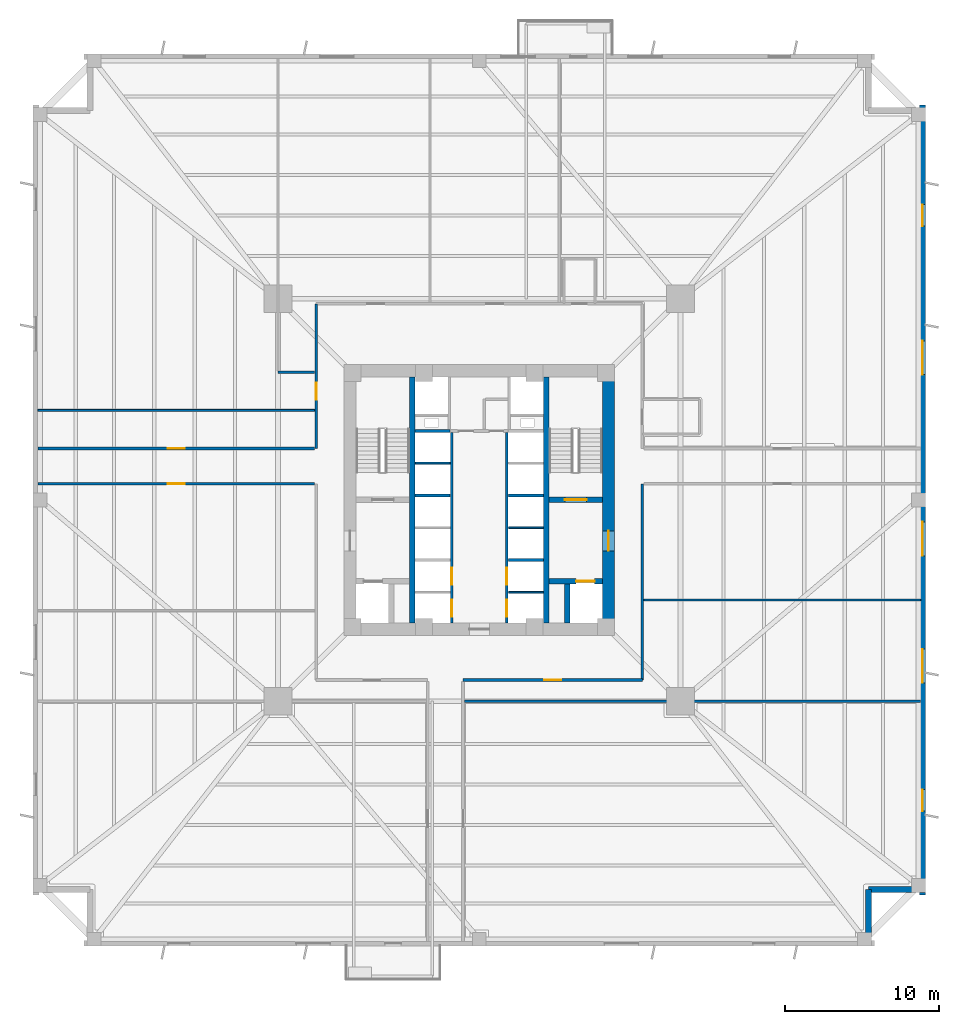
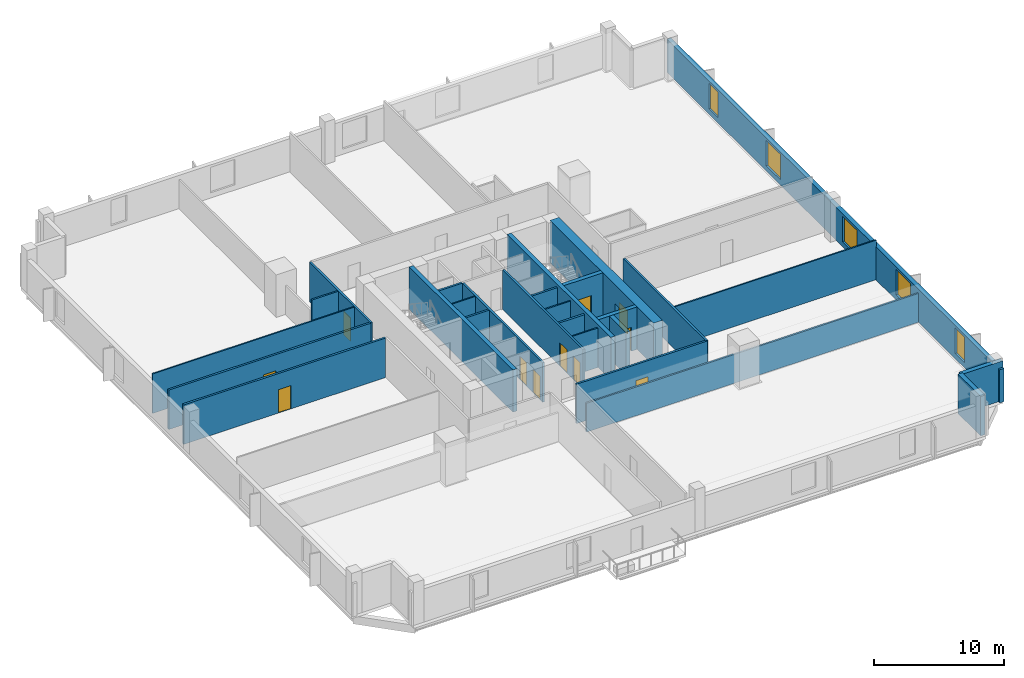
# One storey, part 3 of 8: 27 walls, 11 doors, 5 windows, 16 openings.
"""IFC4 building model written with IfcOpenShell, lengths in metres."""

from ifc_helpers import new_model, si_unit, direction, frame, frame_2d, origin, place, context, subcontext, project, spatial, rectangle, extrude, source, transform, mapped, material, layer, layer_set, type_object, element, fill, save


model = new_model("IFC4")

# Units and contexts
model_context = context("Model", 3, precision=1e-05, world=origin(), true_north=direction((0.0, 1.0)))
body_context = subcontext(model_context, "Body", "Model", "MODEL_VIEW")
ifc_project = project(units=[si_unit("LENGTHUNIT", "METRE"), si_unit("AREAUNIT", "SQUARE_METRE"), si_unit("VOLUMEUNIT", "CUBIC_METRE"), si_unit("PLANEANGLEUNIT", "RADIAN"), si_unit("MASSUNIT", "GRAM", prefix="KILO"), si_unit("THERMODYNAMICTEMPERATUREUNIT", "KELVIN")], contexts=[model_context])

# Site, building, storey
site_placement = place(None, origin())
site = spatial("IfcSite", under=ifc_project, at=site_placement, CompositionType="ELEMENT")
building_placement = place(site_placement, origin())
building = spatial("IfcBuilding", under=site, at=building_placement, Name="Kosmvard Interchange Tower", CompositionType="ELEMENT")
storey_placement = place(building_placement, frame((0.0, 0.0, 66.0)))
storey = spatial("IfcBuildingStorey", under=building, at=storey_placement, Name="L15", CompositionType="ELEMENT", Elevation=66.0)

# Walls
ifc_material_1 = material(Name="Acoustic gypsum partition system")
ifc_layer_1 = layer(ifc_material_1, 0.14990234375, Name="Acoustic gypsum partition system")
ifc_layer_set_1 = layer_set([ifc_layer_1], Name="Acoustic gypsum partition system")
wall_type_1 = type_object("IfcWallType", Name="Acoustic Suite & Meeting Partition 150", PredefinedType="PARTITIONING", material=ifc_layer_set_1)
wall_1_placement = place(storey_placement, frame((-10.695068359375, 8.300048828125, 0.0), z_axis=(0.0, 0.0, 1.0), x_axis=(-1.0, 0.0, 0.0)))
element("IfcWall", 1, at=wall_1_placement, inside=storey, type_object=wall_type_1, Name="L15 Room Partition 01.1", PredefinedType="PARTITIONING", context=body_context, shape_type="SweptSolid", body=[
    extrude(rectangle(XDim=2.385986328125, YDim=0.14990234375, at=frame_2d((1.19287109375, 0.0))), origin(), (0.0, 0.0, 1.0), 3.719970703125),
])
wall_2_placement = place(storey_placement, frame((-0.955078125, -13.0810546875, 0.0), z_axis=(0.0, 0.0, 1.0), x_axis=(1.0, 0.0, 0.0)))
element("IfcWall", 2, at=wall_2_placement, inside=storey, type_object=wall_type_1, Name="L15 Room Partition 06.1", PredefinedType="PARTITIONING", context=body_context, shape_type="SweptSolid", body=[
    extrude(rectangle(XDim=29.64013671875, YDim=0.14990234375, at=frame_2d((14.820068359375, 0.0))), origin(), (0.0, 0.0, 1.0), 2.7119140625),
])

# Wall, openings, doors
ifc_material_2 = material(Name="Fire-rated gypsum partition system")
ifc_layer_2 = layer(ifc_material_2, 0.179931640625, Name="Fire-rated gypsum partition system")
ifc_layer_set_2 = layer_set([ifc_layer_2], Name="Fire-rated gypsum partition system")
wall_type_2 = type_object("IfcWallType", Name="Corridor & Hotel Compartment Partition 180", PredefinedType="PARTITIONING", material=ifc_layer_set_2)
wall_3_placement = place(storey_placement, frame((-1.7900390625, -7.97998046875, 0.0), z_axis=(0.0, 0.0, 1.0), x_axis=(0.0, 1.0, 0.0)))
wall_3 = element("IfcWall", 3, at=wall_3_placement, inside=storey, type_object=wall_type_2, Name="L15 West Lift Bank Front Wall", PredefinedType="PARTITIONING", context=body_context, shape_type="SweptSolid", body=[
    extrude(rectangle(XDim=12.3798828125, YDim=0.179931640625, at=frame_2d((6.18994140625, 0.0))), origin(), (0.0, 0.0, 1.0), 3.719970703125),
])
opening_1_placement = place(wall_3_placement, frame((0.39990234375, 0.0, 0.0)))
opening_1 = element("IfcOpeningElement", 4, at=opening_1_placement, cuts=wall_3, Name="Opening LD-PL-L1-L15", PredefinedType="OPENING", context=body_context, shape_type="SweptSolid", body=[
    extrude(rectangle(XDim=1.10009765625, YDim=2.199951171875, at=frame_2d((0.550048828125, 1.10009765625))), frame((0.0, 0.10009765625, 0.0), z_axis=(0.0, -1.0, 0.0), x_axis=(1.0, 0.0, 0.0)), (0.0, 0.0, 1.0), 0.199951171875),
])
opening_2_placement = place(wall_3_placement, frame((2.4599609375, 0.0, 0.0)))
opening_2 = element("IfcOpeningElement", 5, at=opening_2_placement, cuts=wall_3, Name="Opening LD-PL-L2-L15", PredefinedType="OPENING", context=body_context, shape_type="SweptSolid", body=[
    extrude(rectangle(XDim=1.10009765625, YDim=2.199951171875, at=frame_2d((0.550048828125, 1.10009765625))), frame((0.0, 0.10009765625, 0.0), z_axis=(0.0, -1.0, 0.0), x_axis=(1.0, 0.0, 0.0)), (0.0, 0.0, 1.0), 0.199951171875),
])
ifc_material_3 = material(Name="Brushed stainless steel sliding leaf", Category="steel")
door_type_1 = type_object("IfcDoorType", Name="Passenger Lift Sliding Landing Door 1100x2200 EI60", OperationType="DOUBLE_DOOR_SLIDING", PredefinedType="DOOR", material=ifc_material_3)
shared_shape_1 = source(origin(), body_context, "Body", "SweptSolid", [
    extrude(rectangle(XDim=1.10009765625, YDim=2.199951171875, at=frame_2d((0.550048828125, 1.10009765625))), frame((0.0, 0.02490234375, 0.0), z_axis=(0.0, -1.0, 0.0), x_axis=(1.0, 0.0, 0.0)), (0.0, 0.0, 1.0), 0.050048828125),
])
door_1_placement = place(opening_1_placement, frame((1.10009765625, 0.0, 0.0), z_axis=(0.0, 0.0, 1.0), x_axis=(-1.0, 0.0, 0.0)))
door_1 = element("IfcDoor", 6, at=door_1_placement, inside=storey, type_object=door_type_1, Name="Lift PL-L1 Landing Door L15", OperationType="DOUBLE_DOOR_SLIDING", OverallHeight=2.199951171875, OverallWidth=1.10009765625, PredefinedType="DOOR", context=body_context, shape_type="MappedRepresentation", body=[
    mapped(shared_shape_1, transform((0.0, 0.0, 0.0), scale=1.0)),
])
fill(opening_1, door_1)
door_2_placement = place(opening_2_placement, frame((1.10009765625, 0.0, 0.0), z_axis=(0.0, 0.0, 1.0), x_axis=(-1.0, 0.0, 0.0)))
door_2 = element("IfcDoor", 7, at=door_2_placement, inside=storey, type_object=door_type_1, Name="Lift PL-L2 Landing Door L15", OperationType="DOUBLE_DOOR_SLIDING", OverallHeight=2.199951171875, OverallWidth=1.10009765625, PredefinedType="DOOR", context=body_context, shape_type="MappedRepresentation", body=[
    mapped(shared_shape_1, transform((0.0, 0.0, 0.0), scale=1.0)),
])
fill(opening_2, door_2)

wall_4_placement = place(storey_placement, frame((1.7900390625, -7.97998046875, 0.0), z_axis=(0.0, 0.0, 1.0), x_axis=(0.0, 1.0, 0.0)))
wall_4 = element("IfcWall", 8, at=wall_4_placement, inside=storey, type_object=wall_type_2, Name="L15 East Lift Bank Front Wall", PredefinedType="PARTITIONING", context=body_context, shape_type="SweptSolid", body=[
    extrude(rectangle(XDim=12.3798828125, YDim=0.179931640625, at=frame_2d((6.18994140625, 0.0))), origin(), (0.0, 0.0, 1.0), 3.719970703125),
])
opening_3_placement = place(wall_4_placement, frame((0.39990234375, 0.0, 0.0)))
opening_3 = element("IfcOpeningElement", 9, at=opening_3_placement, cuts=wall_4, Name="Opening LD-PL-L3-L15", PredefinedType="OPENING", context=body_context, shape_type="SweptSolid", body=[
    extrude(rectangle(XDim=1.10009765625, YDim=2.199951171875, at=frame_2d((0.550048828125, 1.10009765625))), frame((0.0, 0.10009765625, 0.0), z_axis=(0.0, -1.0, 0.0), x_axis=(1.0, 0.0, 0.0)), (0.0, 0.0, 1.0), 0.199951171875),
])
opening_4_placement = place(wall_4_placement, frame((2.4599609375, 0.0, 0.0)))
opening_4 = element("IfcOpeningElement", 10, at=opening_4_placement, cuts=wall_4, Name="Opening LD-PL-L4-L15", PredefinedType="OPENING", context=body_context, shape_type="SweptSolid", body=[
    extrude(rectangle(XDim=1.10009765625, YDim=2.199951171875, at=frame_2d((0.550048828125, 1.10009765625))), frame((0.0, 0.10009765625, 0.0), z_axis=(0.0, -1.0, 0.0), x_axis=(1.0, 0.0, 0.0)), (0.0, 0.0, 1.0), 0.199951171875),
])
door_3_placement = place(opening_3_placement, origin())
door_3 = element("IfcDoor", 11, at=door_3_placement, inside=storey, type_object=door_type_1, Name="Lift PL-L3 Landing Door L15", OperationType="DOUBLE_DOOR_SLIDING", OverallHeight=2.199951171875, OverallWidth=1.10009765625, PredefinedType="DOOR", context=body_context, shape_type="MappedRepresentation", body=[
    mapped(shared_shape_1, transform((0.0, 0.0, 0.0), scale=1.0)),
])
fill(opening_3, door_3)
door_4_placement = place(opening_4_placement, origin())
door_4 = element("IfcDoor", 12, at=door_4_placement, inside=storey, type_object=door_type_1, Name="Lift PL-L4 Landing Door L15", OperationType="DOUBLE_DOOR_SLIDING", OverallHeight=2.199951171875, OverallWidth=1.10009765625, PredefinedType="DOOR", context=body_context, shape_type="MappedRepresentation", body=[
    mapped(shared_shape_1, transform((0.0, 0.0, 0.0), scale=1.0)),
])
fill(opening_4, door_4)

# Wall, opening, door
wall_5_placement = place(storey_placement, frame((-1.050048828125, -11.699951171875, 0.0), z_axis=(0.0, 0.0, 1.0), x_axis=(1.0, 0.0, 0.0)))
wall_5 = element("IfcWall", 13, at=wall_5_placement, inside=storey, type_object=wall_type_2, Name="L15 Corridor Wall CSE", PredefinedType="PARTITIONING", context=body_context, shape_type="SweptSolid", body=[
    extrude(rectangle(XDim=11.650146484375, YDim=0.179931640625, at=frame_2d((5.8251953125, 0.0))), origin(), (0.0, 0.0, 1.0), 3.719970703125),
])
opening_5_placement = place(wall_5_placement, frame((5.27490234375, 0.0, 0.0)))
opening_5 = element("IfcOpeningElement", 14, at=opening_5_placement, cuts=wall_5, Name="Opening L15-D09", PredefinedType="OPENING", context=body_context, shape_type="SweptSolid", body=[
    extrude(rectangle(XDim=1.10009765625, YDim=2.199951171875, at=frame_2d((0.550048828125, 1.10009765625))), frame((0.0, 0.10009765625, 0.0), z_axis=(0.0, -1.0, 0.0), x_axis=(1.0, 0.0, 0.0)), (0.0, 0.0, 1.0), 0.199951171875),
])
ifc_material_4 = material(Name="Engineered oak fire-rated timber", Category="wood")
door_type_2 = type_object("IfcDoorType", Name="Office Suite Entrance Door 1100x2200 FD30S", OperationType="NOTDEFINED", PredefinedType="DOOR", material=ifc_material_4)
door_5_placement = place(opening_5_placement, frame((1.10009765625, 0.0, 0.0), z_axis=(0.0, 0.0, 1.0), x_axis=(-1.0, 0.0, 0.0)))
door_5 = element("IfcDoor", 15, at=door_5_placement, inside=storey, type_object=door_type_2, Name="L15 East Partner Office 2 Door", OperationType="SINGLE_SWING_LEFT", OverallHeight=2.199951171875, OverallWidth=1.10009765625, PredefinedType="DOOR", context=body_context, shape_type="MappedRepresentation", body=[
    mapped(shared_shape_1, transform((0.0, 0.0, 0.0), scale=1.0)),
])
fill(opening_5, door_5)

wall_6_placement = place(storey_placement, frame((-10.60009765625, 3.35009765625, 0.0), z_axis=(0.0, 0.0, 1.0), x_axis=(0.0, 1.0, 0.0)))
wall_6 = element("IfcWall", 16, at=wall_6_placement, inside=storey, type_object=wall_type_2, Name="L15 Corridor Wall CWN", PredefinedType="PARTITIONING", context=body_context, shape_type="SweptSolid", body=[
    extrude(rectangle(XDim=9.39990234375, YDim=0.179931640625, at=frame_2d((4.699951171875, 0.0))), origin(), (0.0, 0.0, 1.0), 3.719970703125),
])
opening_6_placement = place(wall_6_placement, frame((3.16259765625, 0.0, 0.0)))
opening_6 = element("IfcOpeningElement", 17, at=opening_6_placement, cuts=wall_6, Name="Opening L15-D04", PredefinedType="OPENING", context=body_context, shape_type="SweptSolid", body=[
    extrude(rectangle(XDim=1.10009765625, YDim=2.199951171875, at=frame_2d((0.550048828125, 1.10009765625))), frame((0.0, 0.10009765625, 0.0), z_axis=(0.0, -1.0, 0.0), x_axis=(1.0, 0.0, 0.0)), (0.0, 0.0, 1.0), 0.199951171875),
])
door_6_placement = place(opening_6_placement, origin())
door_6 = element("IfcDoor", 18, at=door_6_placement, inside=storey, type_object=door_type_2, Name="L15 Print and Copy Store Door", OperationType="SINGLE_SWING_RIGHT", OverallHeight=2.199951171875, OverallWidth=1.10009765625, PredefinedType="DOOR", context=body_context, shape_type="MappedRepresentation", body=[
    mapped(shared_shape_1, transform((0.0, 0.0, 0.0), scale=1.0)),
])
fill(opening_6, door_6)

# Wall
wall_7_placement = place(storey_placement, frame((10.60009765625, -11.699951171875, 0.0), z_axis=(0.0, 0.0, 1.0), x_axis=(0.0, 1.0, 0.0)))
element("IfcWall", 19, at=wall_7_placement, inside=storey, type_object=wall_type_2, Name="L15 Corridor Wall CES", PredefinedType="PARTITIONING", context=body_context, shape_type="SweptSolid", body=[
    extrude(rectangle(XDim=12.75, YDim=0.179931640625, at=frame_2d((6.375, 0.0))), origin(), (0.0, 0.0, 1.0), 3.719970703125),
])

# Wall, opening, door
wall_8_placement = place(storey_placement, frame((-28.68505859375, 1.050048828125, 0.0), z_axis=(0.0, 0.0, 1.0), x_axis=(1.0, 0.0, 0.0)))
wall_8 = element("IfcWall", 20, at=wall_8_placement, inside=storey, type_object=wall_type_2, Name="L15 Corridor Wall SWS", PredefinedType="PARTITIONING", context=body_context, shape_type="SweptSolid", body=[
    extrude(rectangle(XDim=17.985107421875, YDim=0.179931640625, at=frame_2d((8.99267578125, 0.0))), origin(), (0.0, 0.0, 1.0), 3.719970703125),
])
opening_7_placement = place(wall_8_placement, frame((8.4423828125, 0.0, 0.0)))
opening_7 = element("IfcOpeningElement", 21, at=opening_7_placement, cuts=wall_8, Name="Opening L15-D11", PredefinedType="OPENING", context=body_context, shape_type="SweptSolid", body=[
    extrude(rectangle(XDim=1.10009765625, YDim=2.199951171875, at=frame_2d((0.550048828125, 1.10009765625))), frame((0.0, 0.10009765625, 0.0), z_axis=(0.0, -1.0, 0.0), x_axis=(1.0, 0.0, 0.0)), (0.0, 0.0, 1.0), 0.199951171875),
])
door_7_placement = place(opening_7_placement, frame((1.10009765625, 0.0, 0.0), z_axis=(0.0, 0.0, 1.0), x_axis=(-1.0, 0.0, 0.0)))
door_7 = element("IfcDoor", 22, at=door_7_placement, inside=storey, type_object=door_type_2, Name="L15 Communal Servery Kitchen Door", OperationType="SINGLE_SWING_LEFT", OverallHeight=2.199951171875, OverallWidth=1.10009765625, PredefinedType="DOOR", context=body_context, shape_type="MappedRepresentation", body=[
    mapped(shared_shape_1, transform((0.0, 0.0, 0.0), scale=1.0)),
])
fill(opening_7, door_7)

wall_9_placement = place(storey_placement, frame((-28.68505859375, 3.35009765625, 0.0), z_axis=(0.0, 0.0, 1.0), x_axis=(1.0, 0.0, 0.0)))
wall_9 = element("IfcWall", 23, at=wall_9_placement, inside=storey, type_object=wall_type_2, Name="L15 Corridor Wall SWN", PredefinedType="PARTITIONING", context=body_context, shape_type="SweptSolid", body=[
    extrude(rectangle(XDim=17.985107421875, YDim=0.179931640625, at=frame_2d((8.99267578125, 0.0))), origin(), (0.0, 0.0, 1.0), 3.719970703125),
])
opening_8_placement = place(wall_9_placement, frame((8.4423828125, 0.0, 0.0)))
opening_8 = element("IfcOpeningElement", 24, at=opening_8_placement, cuts=wall_9, Name="Opening L15-D03", PredefinedType="OPENING", context=body_context, shape_type="SweptSolid", body=[
    extrude(rectangle(XDim=1.10009765625, YDim=2.199951171875, at=frame_2d((0.550048828125, 1.10009765625))), frame((0.0, 0.10009765625, 0.0), z_axis=(0.0, -1.0, 0.0), x_axis=(1.0, 0.0, 0.0)), (0.0, 0.0, 1.0), 0.199951171875),
])
door_8_placement = place(opening_8_placement, origin())
door_8 = element("IfcDoor", 25, at=door_8_placement, inside=storey, type_object=door_type_2, Name="L15 Tenant Archive Store Door", OperationType="SINGLE_SWING_LEFT", OverallHeight=2.199951171875, OverallWidth=1.10009765625, PredefinedType="DOOR", context=body_context, shape_type="MappedRepresentation", body=[
    mapped(shared_shape_1, transform((0.0, 0.0, 0.0), scale=1.0)),
])
fill(opening_8, door_8)

ifc_material_5 = material(Name="Concrete C80/95", Category="concrete")
ifc_layer_3 = layer(ifc_material_5, 0.800048828125, Name="Concrete C80/95")
ifc_layer_set_3 = layer_set([ifc_layer_3], Name="Concrete C80/95")
wall_type_3 = type_object("IfcWallType", Name="Lower Core Shear Wall 800 C80/95", PredefinedType="SHEAR", material=ifc_layer_set_3)
wall_10_placement = place(storey_placement, frame((8.39990234375, -8.0, 0.0), z_axis=(0.0, 0.0, 1.0), x_axis=(0.0, 1.0, 0.0)))
wall_10 = element("IfcWall", 26, at=wall_10_placement, inside=storey, type_object=wall_type_3, Name="L15 Core Shear Wall CW-E", PredefinedType="SHEAR", context=body_context, shape_type="SweptSolid", body=[
    extrude(rectangle(XDim=16.0, YDim=0.800048828125, at=frame_2d((8.0, 0.0))), origin(), (0.0, 0.0, 1.0), 4.0),
])
opening_9_placement = place(wall_10_placement, frame((4.68994140625, 0.0, 0.0)))
opening_9 = element("IfcOpeningElement", 27, at=opening_9_placement, cuts=wall_10, Name="Opening L15-FD2", PredefinedType="OPENING", context=body_context, shape_type="SweptSolid", body=[
    extrude(rectangle(XDim=1.300048828125, YDim=2.199951171875, at=frame_2d((0.64990234375, 1.10009765625))), frame((0.0, 0.41015625, 0.0), z_axis=(0.0, -1.0, 0.0), x_axis=(1.0, 0.0, 0.0)), (0.0, 0.0, 1.0), 0.820068359375),
])
ifc_material_6 = material(Name="Painted fire-rated steel leaf", Category="steel")
door_type_3 = type_object("IfcDoorType", Name="Firefighting Lobby Door 1300x2200 EI60", OperationType="NOTDEFINED", PredefinedType="DOOR", material=ifc_material_6)
shared_shape_2 = source(origin(), body_context, "Body", "SweptSolid", [
    extrude(rectangle(XDim=1.300048828125, YDim=2.199951171875, at=frame_2d((0.64990234375, 1.10009765625))), frame((0.0, 0.02490234375, 0.0), z_axis=(0.0, -1.0, 0.0), x_axis=(1.0, 0.0, 0.0)), (0.0, 0.0, 1.0), 0.050048828125),
])
door_9_placement = place(opening_9_placement, origin())
door_9 = element("IfcDoor", 28, at=door_9_placement, inside=storey, type_object=door_type_3, Name="L15 Firefighting Lobby East Door", OperationType="SINGLE_SWING_RIGHT", OverallHeight=2.199951171875, OverallWidth=1.300048828125, PredefinedType="DOOR", context=body_context, shape_type="MappedRepresentation", body=[
    mapped(shared_shape_2, transform((0.0, 0.0, 0.0), scale=1.0)),
])
fill(opening_9, door_9)

# Walls
ifc_material_7 = material(Name="Precast concrete C45/55", Category="concrete")
ifc_layer_4 = layer(ifc_material_7, 0.3798828125, Name="Precast concrete C45/55")
ifc_layer_set_4 = layer_set([ifc_layer_4], Name="Precast concrete C45/55")
wall_type_4 = type_object("IfcWallType", Name="Lower Tower Precast Pier Wall 380 C45/55", PredefinedType="STANDARD", material=ifc_layer_set_4)
wall_11_placement = place(storey_placement, frame((25.31005859375, -28.81005859375, 0.0), z_axis=(0.0, 0.0, 1.0), x_axis=(0.0, 1.0, 0.0)))
element("IfcWall", 29, at=wall_11_placement, inside=storey, type_object=wall_type_4, Name="L15 Precast Facade Wall N-SE1", PredefinedType="STANDARD", context=body_context, shape_type="SweptSolid", body=[
    extrude(rectangle(XDim=3.5, YDim=0.3798828125, at=frame_2d((1.75, 0.0))), origin(), (0.0, 0.0, 1.0), 3.719970703125),
])
wall_12_placement = place(storey_placement, frame((25.31005859375, -25.31005859375, 0.0), z_axis=(0.0, 0.0, 1.0), x_axis=(1.0, 0.0, 0.0)))
element("IfcWall", 30, at=wall_12_placement, inside=storey, type_object=wall_type_4, Name="L15 Precast Facade Wall N-SE2", PredefinedType="STANDARD", context=body_context, shape_type="SweptSolid", body=[
    extrude(rectangle(XDim=3.68994140625, YDim=0.3798828125, at=frame_2d((1.844970703125, 0.0))), origin(), (0.0, 0.0, 1.0), 3.719970703125),
])

# Wall, openings, windows
wall_13_placement = place(storey_placement, frame((28.81005859375, -25.68994140625, 0.0), z_axis=(0.0, 0.0, 1.0), x_axis=(0.0, 1.0, 0.0)))
wall_13 = element("IfcWall", 31, at=wall_13_placement, inside=storey, type_object=wall_type_4, Name="L15 Precast Facade Wall F-E", PredefinedType="STANDARD", context=body_context, shape_type="SweptSolid", body=[
    extrude(rectangle(XDim=51.3798828125, YDim=0.3798828125, at=frame_2d((25.68994140625, 0.0))), origin(), (0.0, 0.0, 1.0), 3.1201171875),
])
opening_10_placement = place(wall_13_placement, frame((5.465576171875, 0.0, 0.489990234375)))
opening_10 = element("IfcOpeningElement", 32, at=opening_10_placement, cuts=wall_13, Name="Opening L15-W05", PredefinedType="OPENING", context=body_context, shape_type="SweptSolid", body=[
    extrude(rectangle(XDim=1.39990234375, YDim=2.39990234375, at=frame_2d((0.699951171875, 1.199951171875))), frame((0.0, 0.199951171875, 0.0), z_axis=(0.0, -1.0, 0.0), x_axis=(1.0, 0.0, 0.0)), (0.0, 0.0, 1.0), 0.39990234375),
])
opening_11_placement = place(wall_13_placement, frame((13.80029296875, 0.0, 0.489990234375)))
opening_11 = element("IfcOpeningElement", 33, at=opening_11_placement, cuts=wall_13, Name="Opening L15-W06", PredefinedType="OPENING", context=body_context, shape_type="SweptSolid", body=[
    extrude(rectangle(XDim=2.199951171875, YDim=2.39990234375, at=frame_2d((1.10009765625, 1.199951171875))), frame((0.0, 0.199951171875, 0.0), z_axis=(0.0, -1.0, 0.0), x_axis=(1.0, 0.0, 0.0)), (0.0, 0.0, 1.0), 0.39990234375),
])
opening_12_placement = place(wall_13_placement, frame((22.0625, 0.0, 0.489990234375)))
opening_12 = element("IfcOpeningElement", 34, at=opening_12_placement, cuts=wall_13, Name="Opening L15-W07", PredefinedType="OPENING", context=body_context, shape_type="SweptSolid", body=[
    extrude(rectangle(XDim=2.199951171875, YDim=2.39990234375, at=frame_2d((1.10009765625, 1.199951171875))), frame((0.0, 0.199951171875, 0.0), z_axis=(0.0, -1.0, 0.0), x_axis=(1.0, 0.0, 0.0)), (0.0, 0.0, 1.0), 0.39990234375),
])
opening_13_placement = place(wall_13_placement, frame((33.83837890625, 0.0, 0.489990234375)))
opening_13 = element("IfcOpeningElement", 35, at=opening_13_placement, cuts=wall_13, Name="Opening L15-W08", PredefinedType="OPENING", context=body_context, shape_type="SweptSolid", body=[
    extrude(rectangle(XDim=2.199951171875, YDim=2.39990234375, at=frame_2d((1.10009765625, 1.199951171875))), frame((0.0, 0.199951171875, 0.0), z_axis=(0.0, -1.0, 0.0), x_axis=(1.0, 0.0, 0.0)), (0.0, 0.0, 1.0), 0.39990234375),
])
opening_14_placement = place(wall_13_placement, frame((43.48681640625, 0.0, 0.489990234375)))
opening_14 = element("IfcOpeningElement", 36, at=opening_14_placement, cuts=wall_13, Name="Opening L15-W09", PredefinedType="OPENING", context=body_context, shape_type="SweptSolid", body=[
    extrude(rectangle(XDim=1.39990234375, YDim=2.39990234375, at=frame_2d((0.699951171875, 1.199951171875))), frame((0.0, 0.199951171875, 0.0), z_axis=(0.0, -1.0, 0.0), x_axis=(1.0, 0.0, 0.0)), (0.0, 0.0, 1.0), 0.39990234375),
])
ifc_material_8 = material(Name="Low-E solar-control double glazing", Category="glass")
window_type_1 = type_object("IfcWindowType", Name="Notched Corner Feature Window 1400x2400", PartitioningType="SINGLE_PANEL", PredefinedType="WINDOW", material=ifc_material_8)
shared_shape_3 = source(origin(), body_context, "Body", "SweptSolid", [
    extrude(rectangle(XDim=1.39990234375, YDim=2.39990234375, at=frame_2d((0.699951171875, 1.199951171875))), frame((0.0, 0.030029296875, 0.0), z_axis=(0.0, -1.0, 0.0), x_axis=(1.0, 0.0, 0.0)), (0.0, 0.0, 1.0), 0.06005859375),
])
window_1_placement = place(opening_10_placement, origin())
window_1 = element("IfcWindow", 37, at=window_1_placement, inside=storey, type_object=window_type_1, Name="L15 Facade Punched Window 05", OverallHeight=2.39990234375, OverallWidth=1.39990234375, PartitioningType="SINGLE_PANEL", PredefinedType="WINDOW", context=body_context, shape_type="MappedRepresentation", body=[
    mapped(shared_shape_3, transform((0.0, 0.0, 0.0), scale=1.0)),
])
fill(opening_10, window_1)
window_2_placement = place(opening_14_placement, origin())
window_2 = element("IfcWindow", 38, at=window_2_placement, inside=storey, type_object=window_type_1, Name="L15 Facade Punched Window 09", OverallHeight=2.39990234375, OverallWidth=1.39990234375, PartitioningType="SINGLE_PANEL", PredefinedType="WINDOW", context=body_context, shape_type="MappedRepresentation", body=[
    mapped(shared_shape_3, transform((0.0, 0.0, 0.0), scale=1.0)),
])
fill(opening_14, window_2)
window_type_2 = type_object("IfcWindowType", Name="Zone 1 Office Punched Window 2200x2400", PartitioningType="SINGLE_PANEL", PredefinedType="WINDOW", material=ifc_material_8)
shared_shape_4 = source(origin(), body_context, "Body", "SweptSolid", [
    extrude(rectangle(XDim=2.199951171875, YDim=2.39990234375, at=frame_2d((1.10009765625, 1.199951171875))), frame((0.0, 0.030029296875, 0.0), z_axis=(0.0, -1.0, 0.0), x_axis=(1.0, 0.0, 0.0)), (0.0, 0.0, 1.0), 0.06005859375),
])
window_3_placement = place(opening_11_placement, origin())
window_3 = element("IfcWindow", 39, at=window_3_placement, inside=storey, type_object=window_type_2, Name="L15 Facade Punched Window 06", OverallHeight=2.39990234375, OverallWidth=2.199951171875, PartitioningType="SINGLE_PANEL", PredefinedType="WINDOW", context=body_context, shape_type="MappedRepresentation", body=[
    mapped(shared_shape_4, transform((0.0, 0.0, 0.0), scale=1.0)),
])
fill(opening_11, window_3)
window_4_placement = place(opening_12_placement, origin())
window_4 = element("IfcWindow", 40, at=window_4_placement, inside=storey, type_object=window_type_2, Name="L15 Facade Punched Window 07", OverallHeight=2.39990234375, OverallWidth=2.199951171875, PartitioningType="SINGLE_PANEL", PredefinedType="WINDOW", context=body_context, shape_type="MappedRepresentation", body=[
    mapped(shared_shape_4, transform((0.0, 0.0, 0.0), scale=1.0)),
])
fill(opening_12, window_4)
window_5_placement = place(opening_13_placement, origin())
window_5 = element("IfcWindow", 41, at=window_5_placement, inside=storey, type_object=window_type_2, Name="L15 Facade Punched Window 08", OverallHeight=2.39990234375, OverallWidth=2.199951171875, PartitioningType="SINGLE_PANEL", PredefinedType="WINDOW", context=body_context, shape_type="MappedRepresentation", body=[
    mapped(shared_shape_4, transform((0.0, 0.0, 0.0), scale=1.0)),
])
fill(opening_13, window_5)

# Walls
ifc_material_9 = material(Name="Gypsum board partition system")
ifc_layer_5 = layer(ifc_material_9, 0.1201171875, Name="Gypsum board partition system")
ifc_layer_set_5 = layer_set([ifc_layer_5], Name="Gypsum board partition system")
wall_type_5 = type_object("IfcWallType", Name="Office Cellular Partition 120", PredefinedType="PARTITIONING", material=ifc_layer_set_5)
for number, where, z_axis, x_axis, name in (
    (42, (-28.68505859375, 5.824951171875, 0.0), (0.0, 0.0, 1.0), (1.0, 0.0, 0.0), "L15 Room Partition 05.1"),
    (43, (10.695068359375, -6.5, 0.0), (0.0, 0.0, 1.0), (1.0, 0.0, 0.0), "L15 Room Partition 07.1"),
):
    element("IfcWall", number, at=place(storey_placement, frame(where, z_axis=z_axis, x_axis=x_axis)), inside=storey, type_object=wall_type_5, Name=name, PredefinedType="PARTITIONING", context=body_context, shape_type="SweptSolid", body=[
        extrude(rectangle(XDim=17.989990234375, YDim=0.1201171875, at=frame_2d((8.9951171875, 0.0))), origin(), (0.0, 0.0, 1.0), 3.719970703125),
    ])
ifc_material_10 = material(Name="Concrete blockwork masonry", Category="masonry")
ifc_layer_6 = layer(ifc_material_10, 0.179931640625, Name="Concrete blockwork masonry")
ifc_layer_set_6 = layer_set([ifc_layer_6], Name="Concrete blockwork masonry")
wall_type_6 = type_object("IfcWallType", Name="Riser & Lift Bank Divider Wall 180", PredefinedType="PARTITIONING", material=ifc_layer_set_6)
for number, where, z_axis, x_axis, name in (
    (44, (1.889892578125, -3.89990234375, 0.0), (0.0, 0.0, 1.0), (1.0, 0.0, 0.0), "L15 East Bank Divider BD1"),
    (45, (-4.169921875, 0.300048828125, 0.0), (0.0, 0.0, 1.0), (1.0, 0.0, 0.0), "L15 West Bank Divider BD2"),
    (46, (1.889892578125, 0.300048828125, 0.0), (0.0, 0.0, 1.0), (1.0, 0.0, 0.0), "L15 East Bank Divider BD2"),
    (47, (-4.169921875, 4.489990234375, 0.0), (0.0, 0.0, 1.0), (1.0, 0.0, 0.0), "L15 West Bank Divider BD3"),
):
    element("IfcWall", number, at=place(storey_placement, frame(where, z_axis=z_axis, x_axis=x_axis)), inside=storey, type_object=wall_type_6, Name=name, PredefinedType="PARTITIONING", context=body_context, shape_type="SweptSolid", body=[
        extrude(rectangle(XDim=2.280029296875, YDim=0.179931640625, at=frame_2d((1.14013671875, 0.0))), origin(), (0.0, 0.0, 1.0), 3.719970703125),
    ])
ifc_material_11 = material(Name="Fire-rated gypsum shaftwall system")
ifc_layer_7 = layer(ifc_material_11, 0.1201171875, Name="Fire-rated gypsum shaftwall system")
ifc_layer_set_7 = layer_set([ifc_layer_7], Name="Fire-rated gypsum shaftwall system")
wall_type_7 = type_object("IfcWallType", Name="Shaft & Riser Fire Partition 120 EI60", PredefinedType="PARTITIONING", material=ifc_layer_set_7)
for number, where, z_axis, x_axis, name in (
    (48, (1.89990234375, -6.0, 0.0), (0.0, 0.0, 1.0), (1.0, 0.0, 0.0), "L15 Shaft Divider PL-L3"),
    (49, (1.89990234375, -1.800048828125, 0.0), (0.0, 0.0, 1.0), (1.0, 0.0, 0.0), "L15 Shaft Divider PL-M3"),
    (50, (-4.159912109375, 2.39990234375, 0.0), (0.0, 0.0, 1.0), (1.0, 0.0, 0.0), "L15 Shaft Divider PL-H1"),
):
    element("IfcWall", number, at=place(storey_placement, frame(where, z_axis=z_axis, x_axis=x_axis)), inside=storey, type_object=wall_type_7, Name=name, PredefinedType="PARTITIONING", context=body_context, shape_type="SweptSolid", body=[
        extrude(rectangle(XDim=2.260009765625, YDim=0.1201171875, at=frame_2d((1.1298828125, 0.0))), origin(), (0.0, 0.0, 1.0), 3.719970703125),
    ])
ifc_material_12 = material(Name="Concrete C60/75", Category="concrete")
ifc_layer_8 = layer(ifc_material_12, 0.360107421875, Name="Concrete C60/75")
ifc_layer_set_8 = layer_set([ifc_layer_8], Name="Concrete C60/75")
wall_type_8 = type_object("IfcWallType", Name="Stair & Lift Shaft Shear Wall 360 C60/75", PredefinedType="SHEAR", material=ifc_layer_set_8)
for number, where, z_axis, x_axis, name in (
    (51, (-4.360107421875, -8.0, 0.0), (0.0, 0.0, 1.0), (0.0, 1.0, 0.0), "L15 Shaft Shear Wall SW-W"),
    (52, (4.360107421875, -8.0, 0.0), (0.0, 0.0, 1.0), (0.0, 1.0, 0.0), "L15 Shaft Shear Wall SW-E"),
):
    element("IfcWall", number, at=place(storey_placement, frame(where, z_axis=z_axis, x_axis=x_axis)), inside=storey, type_object=wall_type_8, Name=name, PredefinedType="SHEAR", context=body_context, shape_type="SweptSolid", body=[
        extrude(rectangle(XDim=16.0, YDim=0.360107421875, at=frame_2d((8.0, 0.0))), origin(), (0.0, 0.0, 1.0), 4.0),
    ])

# Wall, opening, door
wall_14_placement = place(storey_placement, frame((4.5400390625, 0.02001953125, 0.0), z_axis=(0.0, 0.0, 1.0), x_axis=(1.0, 0.0, 0.0)))
wall_14 = element("IfcWall", 53, at=wall_14_placement, inside=storey, type_object=wall_type_8, Name="L15 Shaft Shear Wall SW-ST2", PredefinedType="SHEAR", context=body_context, shape_type="SweptSolid", body=[
    extrude(rectangle(XDim=3.4599609375, YDim=0.360107421875, at=frame_2d((1.72998046875, 0.0))), origin(), (0.0, 0.0, 1.0), 4.0),
])
opening_15_placement = place(wall_14_placement, frame((1.030029296875, 0.0, 0.0)))
opening_15 = element("IfcOpeningElement", 54, at=opening_15_placement, cuts=wall_14, Name="Opening L15-SD2", PredefinedType="OPENING", context=body_context, shape_type="SweptSolid", body=[
    extrude(rectangle(XDim=1.39990234375, YDim=2.199951171875, at=frame_2d((0.699951171875, 1.10009765625))), frame((0.0, 0.18994140625, 0.0), z_axis=(0.0, -1.0, 0.0), x_axis=(1.0, 0.0, 0.0)), (0.0, 0.0, 1.0), 0.380126953125),
])
door_type_4 = type_object("IfcDoorType", Name="Protected Stair Door 1400x2200 FD60S", OperationType="NOTDEFINED", PredefinedType="DOOR", material=ifc_material_6)
shared_shape_5 = source(origin(), body_context, "Body", "SweptSolid", [
    extrude(rectangle(XDim=1.39990234375, YDim=2.199951171875, at=frame_2d((0.699951171875, 1.10009765625))), frame((0.0, 0.02490234375, 0.0), z_axis=(0.0, -1.0, 0.0), x_axis=(1.0, 0.0, 0.0)), (0.0, 0.0, 1.0), 0.050048828125),
])
door_10_placement = place(opening_15_placement, origin())
door_10 = element("IfcDoor", 55, at=door_10_placement, inside=storey, type_object=door_type_4, Name="L15 Stair ST-2 Enclosure Door", OperationType="SINGLE_SWING_RIGHT", OverallHeight=2.199951171875, OverallWidth=1.39990234375, PredefinedType="DOOR", context=body_context, shape_type="MappedRepresentation", body=[
    mapped(shared_shape_5, transform((0.0, 0.0, 0.0), scale=1.0)),
])
fill(opening_15, door_10)

wall_15_placement = place(storey_placement, frame((4.5400390625, -5.280029296875, 0.0), z_axis=(0.0, 0.0, 1.0), x_axis=(1.0, 0.0, 0.0)))
wall_15 = element("IfcWall", 56, at=wall_15_placement, inside=storey, type_object=wall_type_8, Name="L15 Shaft Shear Wall SW-FF2", PredefinedType="SHEAR", context=body_context, shape_type="SweptSolid", body=[
    extrude(rectangle(XDim=3.4599609375, YDim=0.360107421875, at=frame_2d((1.72998046875, 0.0))), origin(), (0.0, 0.0, 1.0), 4.0),
])
opening_16_placement = place(wall_15_placement, frame((1.760009765625, 0.0, 0.0)))
opening_16 = element("IfcOpeningElement", 57, at=opening_16_placement, cuts=wall_15, Name="Opening LD-FF-2-L15", PredefinedType="OPENING", context=body_context, shape_type="SweptSolid", body=[
    extrude(rectangle(XDim=1.199951171875, YDim=2.25, at=frame_2d((0.60009765625, 1.125))), frame((0.0, 0.18994140625, 0.0), z_axis=(0.0, -1.0, 0.0), x_axis=(1.0, 0.0, 0.0)), (0.0, 0.0, 1.0), 0.380126953125),
])
door_type_5 = type_object("IfcDoorType", Name="Firefighting Lift Sliding Landing Door 1200x2250 EI120", OperationType="DOUBLE_DOOR_SLIDING", PredefinedType="DOOR", material=ifc_material_3)
shared_shape_6 = source(origin(), body_context, "Body", "SweptSolid", [
    extrude(rectangle(XDim=1.199951171875, YDim=2.25, at=frame_2d((0.60009765625, 1.125))), frame((0.0, 0.02490234375, 0.0), z_axis=(0.0, -1.0, 0.0), x_axis=(1.0, 0.0, 0.0)), (0.0, 0.0, 1.0), 0.050048828125),
])
door_11_placement = place(opening_16_placement, origin())
door_11 = element("IfcDoor", 58, at=door_11_placement, inside=storey, type_object=door_type_5, Name="Lift FF-2 Landing Door L15", OperationType="DOUBLE_DOOR_SLIDING", OverallHeight=2.25, OverallWidth=1.199951171875, PredefinedType="DOOR", context=body_context, shape_type="MappedRepresentation", body=[
    mapped(shared_shape_6, transform((0.0, 0.0, 0.0), scale=1.0)),
])
fill(opening_16, door_11)

# Wall
wall_16_placement = place(storey_placement, frame((5.7099609375, -8.0, 0.0), z_axis=(0.0, 0.0, 1.0), x_axis=(0.0, 1.0, 0.0)))
element("IfcWall", 59, at=wall_16_placement, inside=storey, type_object=wall_type_8, Name="L15 Shaft Shear Wall SW-SM2", PredefinedType="SHEAR", context=body_context, shape_type="SweptSolid", body=[
    extrude(rectangle(XDim=2.5400390625, YDim=0.360107421875, at=frame_2d((1.27001953125, 0.0))), origin(), (0.0, 0.0, 1.0), 4.0),
])

save(model, "model.ifc")
